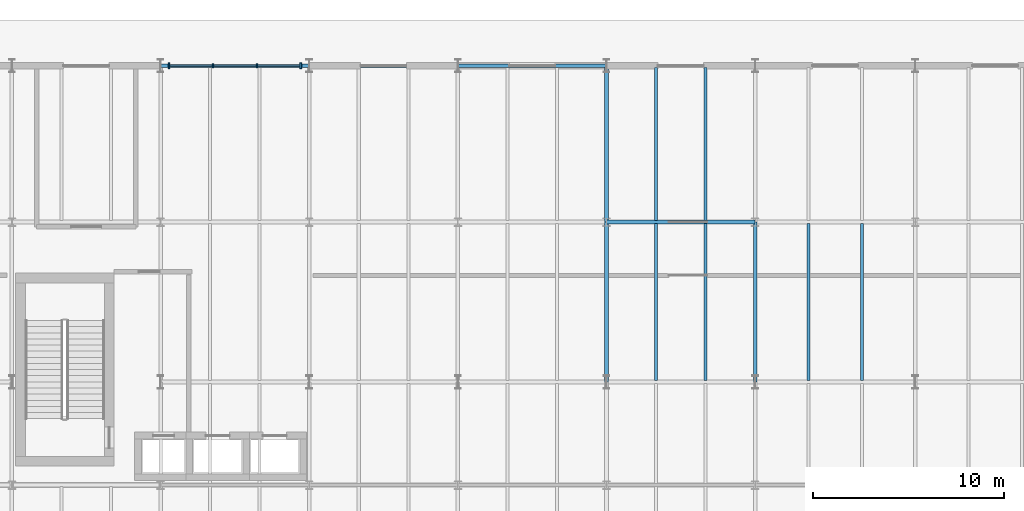
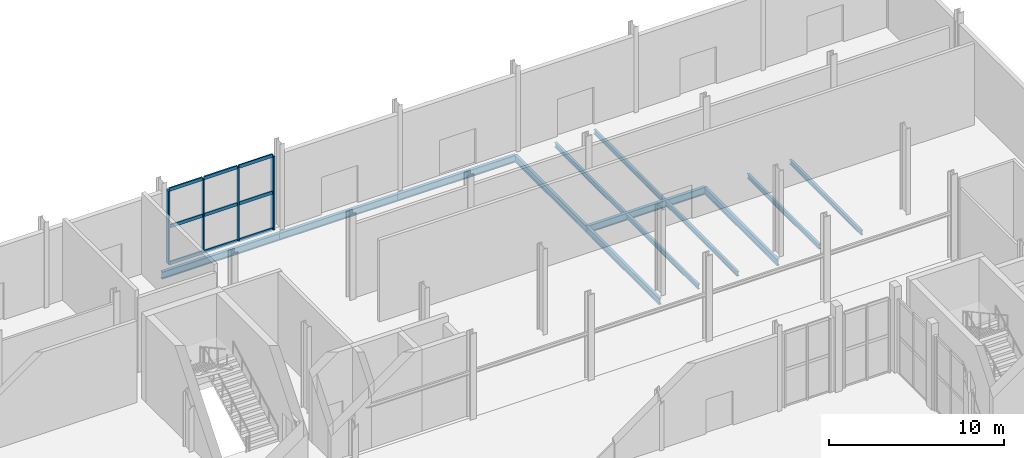
# One storey, part 40 of 84: 13 beams, 13 members, 1 element without a shape of its own.
"""IFC4 building model written with IfcOpenShell, lengths in metres."""

from ifc_helpers import new_model, si_unit, direction, frame, origin, origin_2d, place, context, subcontext, project, spatial, rectangle, i_section, extrude, material, layer, layer_set, material_profile, profile_set, type_object, element, aggregate, save


model = new_model("IFC4")

# Units and contexts
model_context = context("Model", 3, precision=1e-05, world=origin(), true_north=direction((0.0, 1.0)))
body_context = subcontext(model_context, "Body", "Model", "MODEL_VIEW")
ifc_project = project(units=[si_unit("LENGTHUNIT", "METRE"), si_unit("AREAUNIT", "SQUARE_METRE"), si_unit("VOLUMEUNIT", "CUBIC_METRE"), si_unit("PLANEANGLEUNIT", "RADIAN"), si_unit("MASSUNIT", "GRAM", prefix="KILO")], contexts=[model_context])

# Site, building, storey
site_placement = place(None, origin())
site = spatial("IfcSite", under=ifc_project, at=site_placement, CompositionType="ELEMENT")
building_placement = place(site_placement, origin())
building = spatial("IfcBuilding", under=site, at=building_placement, Name="Sefraquen Railside Congress Hotel", CompositionType="ELEMENT")
storey_placement = place(building_placement, origin())
storey = spatial("IfcBuildingStorey", under=building, at=storey_placement, Name="L00", CompositionType="ELEMENT", Elevation=0.0)

# Beams
ifc_material_1 = material(Name="Steel S355JR", Category="steel")
ifc_material_profile_1 = material_profile(ifc_material_1, i_section(OverallWidth=0.18994140625, OverallDepth=0.449951171875, WebThickness=0.009521484375, FlangeThickness=0.0146484375, FilletRadius=0.02099609375, at=origin_2d()), Name="IPE 450")
ifc_profile_set_1 = profile_set([ifc_material_profile_1], Name="Steel S355JR")
beam_type_1 = type_object("IfcBeamType", Name="TB-BM-450", PredefinedType="BEAM", material=ifc_profile_set_1)
beam_1_placement = place(storey_placement, frame((95.39990234375, 101.39990234375, -0.625), z_axis=(0.0, 1.0, 0.0), x_axis=(-1.0, 0.0, 0.0)))
element("IfcBeam", 1, at=beam_1_placement, inside=storey, type_object=beam_type_1, Name="Floor beam BM-L00-0270", PredefinedType="BEAM", context=body_context, shape_type="SweptSolid", body=[
    extrude(i_section(OverallWidth=0.18994140625, OverallDepth=0.449951171875, WebThickness=0.009521484375, FlangeThickness=0.0146484375, FilletRadius=0.02099609375, at=origin_2d()), origin(), (0.0, 0.0, 1.0), 8.400146484375),
])
beam_2_placement = place(storey_placement, frame((95.39990234375, 109.800048828125, -0.625), z_axis=(0.0, 1.0, 0.0), x_axis=(-1.0, 0.0, 0.0)))
element("IfcBeam", 2, at=beam_2_placement, inside=storey, type_object=beam_type_1, Name="Floor beam BM-L00-0271", PredefinedType="BEAM", context=body_context, shape_type="SweptSolid", body=[
    extrude(i_section(OverallWidth=0.18994140625, OverallDepth=0.449951171875, WebThickness=0.009521484375, FlangeThickness=0.0146484375, FilletRadius=0.02099609375, at=origin_2d()), origin(), (0.0, 0.0, 1.0), 8.199951171875),
])
beam_3_placement = place(storey_placement, frame((103.199951171875, 101.39990234375, -0.625), z_axis=(0.0, 1.0, 0.0), x_axis=(-1.0, 0.0, 0.0)))
element("IfcBeam", 3, at=beam_3_placement, inside=storey, type_object=beam_type_1, Name="Floor beam BM-L00-0283", PredefinedType="BEAM", context=body_context, shape_type="SweptSolid", body=[
    extrude(i_section(OverallWidth=0.18994140625, OverallDepth=0.449951171875, WebThickness=0.009521484375, FlangeThickness=0.0146484375, FilletRadius=0.02099609375, at=origin_2d()), origin(), (0.0, 0.0, 1.0), 8.400146484375),
])
ifc_material_profile_2 = material_profile(ifc_material_1, i_section(OverallWidth=0.199951171875, OverallDepth=0.5, WebThickness=0.01025390625, FlangeThickness=0.01611328125, FilletRadius=0.02099609375, at=origin_2d()), Name="IPE 500")
ifc_profile_set_2 = profile_set([ifc_material_profile_2], Name="Steel S355JR")
beam_type_2 = type_object("IfcBeamType", Name="TB-BM-500", PredefinedType="BEAM", material=ifc_profile_set_2)
for number, where, z_axis, x_axis, name in (
    (4, (95.39990234375, 109.800048828125, -0.64990234375), (1.0, 0.0, 0.0), (0.0, 1.0, 0.0), "Primary girder BM-L00-0158"),
    (5, (72.0, 118.0, -0.64990234375), (1.0, 0.0, 0.0), (0.0, 1.0, 0.0), "Primary girder BM-L00-0167"),
    (6, (79.800048828125, 118.0, -0.64990234375), (1.0, 0.0, 0.0), (0.0, 1.0, 0.0), "Primary girder BM-L00-0168"),
):
    element("IfcBeam", number, at=place(storey_placement, frame(where, z_axis=z_axis, x_axis=x_axis)), inside=storey, type_object=beam_type_2, Name=name, PredefinedType="BEAM", context=body_context, shape_type="SweptSolid", body=[
        extrude(i_section(OverallWidth=0.199951171875, OverallDepth=0.5, WebThickness=0.01025390625, FlangeThickness=0.01611328125, FilletRadius=0.02099609375, at=origin_2d()), origin(), (0.0, 0.0, 1.0), 7.800048828125),
    ])
beam_4_placement = place(storey_placement, frame((87.60009765625, 118.0, -0.64990234375), z_axis=(1.0, 0.0, 0.0), x_axis=(0.0, 1.0, 0.0)))
element("IfcBeam", 7, at=beam_4_placement, inside=storey, type_object=beam_type_2, Name="Primary girder BM-L00-0169", PredefinedType="BEAM", context=body_context, shape_type="SweptSolid", body=[
    extrude(i_section(OverallWidth=0.199951171875, OverallDepth=0.5, WebThickness=0.01025390625, FlangeThickness=0.01611328125, FilletRadius=0.02099609375, at=origin_2d()), origin(), (0.0, 0.0, 1.0), 7.7998046875),
])
ifc_material_profile_3 = material_profile(ifc_material_1, i_section(OverallWidth=0.159912109375, OverallDepth=0.330078125, WebThickness=0.007568359375, FlangeThickness=0.011474609375, FilletRadius=0.01806640625, at=origin_2d()), Name="IPE 330")
ifc_profile_set_3 = profile_set([ifc_material_profile_3], Name="Steel S355JR")
beam_type_3 = type_object("IfcBeamType", Name="TB-JST-330", PredefinedType="JOIST", material=ifc_profile_set_3)
for number, where, z_axis, x_axis, name in (
    (8, (98.0, 101.47998046875, -0.56494140625), (0.0, 1.0, 0.0), (-1.0, 0.0, 0.0), "Composite floor joist BM-L00-J0152"),
    (9, (100.60009765625, 101.47998046875, -0.56494140625), (0.0, 1.0, 0.0), (-1.0, 0.0, 0.0), "Composite floor joist BM-L00-J0153"),
):
    element("IfcBeam", number, at=place(storey_placement, frame(where, z_axis=z_axis, x_axis=x_axis)), inside=storey, type_object=beam_type_3, Name=name, PredefinedType="JOIST", context=body_context, shape_type="SweptSolid", body=[
        extrude(i_section(OverallWidth=0.159912109375, OverallDepth=0.330078125, WebThickness=0.007568359375, FlangeThickness=0.011474609375, FilletRadius=0.01806640625, at=origin_2d()), origin(), (0.0, 0.0, 1.0), 8.239990234375),
    ])
for number, where, z_axis, x_axis, name in (
    (10, (98.0, 109.8798828125, -0.56494140625), (0.0, 1.0, 0.0), (-1.0, 0.0, 0.0), "Composite floor joist BM-L00-J0154"),
    (11, (100.60009765625, 109.8798828125, -0.56494140625), (0.0, 1.0, 0.0), (-1.0, 0.0, 0.0), "Composite floor joist BM-L00-J0155"),
):
    element("IfcBeam", number, at=place(storey_placement, frame(where, z_axis=z_axis, x_axis=x_axis)), inside=storey, type_object=beam_type_3, Name=name, PredefinedType="JOIST", context=body_context, shape_type="SweptSolid", body=[
        extrude(i_section(OverallWidth=0.159912109375, OverallDepth=0.330078125, WebThickness=0.007568359375, FlangeThickness=0.011474609375, FilletRadius=0.01806640625, at=origin_2d()), origin(), (0.0, 0.0, 1.0), 8.0400390625),
    ])
for number, where, z_axis, x_axis, name in (
    (12, (106.0, 101.485107421875, -0.56494140625), (0.0, 1.0, 0.0), (-1.0, 0.0, 0.0), "Composite floor joist BM-L00-J0160"),
    (13, (108.800048828125, 101.485107421875, -0.56494140625), (0.0, 1.0, 0.0), (-1.0, 0.0, 0.0), "Composite floor joist BM-L00-J0161"),
):
    element("IfcBeam", number, at=place(storey_placement, frame(where, z_axis=z_axis, x_axis=x_axis)), inside=storey, type_object=beam_type_3, Name=name, PredefinedType="JOIST", context=body_context, shape_type="SweptSolid", body=[
        extrude(i_section(OverallWidth=0.159912109375, OverallDepth=0.330078125, WebThickness=0.007568359375, FlangeThickness=0.011474609375, FilletRadius=0.01806640625, at=origin_2d()), origin(), (0.0, 0.0, 1.0), 8.22998046875),
    ])

# Curtain wall, members
ifc_material_2 = material(Name="Thermally broken anodised aluminium and low-E double glazing", Category="aluminium")
ifc_layer = layer(ifc_material_2, 0.199951171875)
ifc_layer_set = layer_set([ifc_layer], Name="Thermally broken anodised aluminium and low-E double glazing")
curtain_wall_type = type_object("IfcCurtainWallType", Name="TCW-UCW-24", PredefinedType="USERDEFINED", material=ifc_layer_set)
curtain_wall_placement = place(storey_placement, origin())
curtain_wall = element("IfcCurtainWall", 14, at=curtain_wall_placement, inside=storey, type_object=curtain_wall_type, Name="Hotel Boulevard shopfront curtain wall UCW-24", ObjectType="UNITISED CURTAIN WALL", PredefinedType="USERDEFINED")
ifc_material_3 = material(Name="Thermally broken anodised aluminium 6063-T6", Category="aluminium")
ifc_material_profile_4 = material_profile(ifc_material_3, rectangle(XDim=0.070068359375, YDim=0.199951171875, at=origin_2d()), Name="CWM 70x200")
ifc_profile_set_4 = profile_set([ifc_material_profile_4], Name="Thermally broken anodised aluminium 6063-T6")
member_type_1 = type_object("IfcMemberType", Name="TM-CWM-03", PredefinedType="MULLION", material=ifc_profile_set_4)
member_1_placement = place(storey_placement, frame((74.74658203125, 118.0, 0.0), z_axis=(0.0, 0.0, 1.0), x_axis=(1.0, 0.0, 0.0)))
member_1 = element("IfcMember", 15, at=member_1_placement, type_object=member_type_1, Name="CW-L00-024 mullion 2", PredefinedType="MULLION", context=body_context, shape_type="SweptSolid", body=[
    extrude(rectangle(XDim=0.070068359375, YDim=0.199951171875, at=origin_2d()), origin(), (0.0, 0.0, 1.0), 5.14990234375),
])
member_2_placement = place(storey_placement, frame((77.05322265625, 118.0, 0.0), z_axis=(0.0, 0.0, 1.0), x_axis=(1.0, 0.0, 0.0)))
member_2 = element("IfcMember", 16, at=member_2_placement, type_object=member_type_1, Name="CW-L00-024 mullion 3", PredefinedType="MULLION", context=body_context, shape_type="SweptSolid", body=[
    extrude(rectangle(XDim=0.070068359375, YDim=0.199951171875, at=origin_2d()), origin(), (0.0, 0.0, 1.0), 5.14990234375),
])
ifc_material_profile_5 = material_profile(ifc_material_3, rectangle(XDim=0.094970703125, YDim=0.300048828125, at=origin_2d()), Name="CWM 95x300")
ifc_profile_set_5 = profile_set([ifc_material_profile_5], Name="Thermally broken anodised aluminium 6063-T6")
member_type_2 = type_object("IfcMemberType", Name="TM-CWM-08", PredefinedType="MULLION", material=ifc_profile_set_5)
member_3_placement = place(storey_placement, frame((72.43994140625, 118.0, 0.0), z_axis=(0.0, 0.0, 1.0), x_axis=(1.0, 0.0, 0.0)))
member_3 = element("IfcMember", 17, at=member_3_placement, type_object=member_type_2, Name="CW-L00-024 mullion 1", PredefinedType="MULLION", context=body_context, shape_type="SweptSolid", body=[
    extrude(rectangle(XDim=0.094970703125, YDim=0.300048828125, at=origin_2d()), origin(), (0.0, 0.0, 1.0), 5.14990234375),
])
member_4_placement = place(storey_placement, frame((79.360107421875, 118.0, 0.0), z_axis=(0.0, 0.0, 1.0), x_axis=(1.0, 0.0, 0.0)))
member_4 = element("IfcMember", 18, at=member_4_placement, type_object=member_type_2, Name="CW-L00-024 mullion 4", PredefinedType="MULLION", context=body_context, shape_type="SweptSolid", body=[
    extrude(rectangle(XDim=0.094970703125, YDim=0.300048828125, at=origin_2d()), origin(), (0.0, 0.0, 1.0), 5.14990234375),
])
ifc_material_profile_6 = material_profile(ifc_material_3, rectangle(XDim=0.094970703125, YDim=0.22509765625, at=origin_2d()), Name="CWT 95x225")
ifc_profile_set_6 = profile_set([ifc_material_profile_6], Name="Thermally broken anodised aluminium 6063-T6")
member_type_3 = type_object("IfcMemberType", Name="TM-CWT-08", PredefinedType="USERDEFINED", material=ifc_profile_set_6)
member_5_placement = place(storey_placement, frame((72.485107421875, 118.0, 0.0), z_axis=(1.0, 0.0, 0.0), x_axis=(0.0, 1.0, 0.0)))
member_5 = element("IfcMember", 19, at=member_5_placement, type_object=member_type_3, Name="CW-L00-024 transom 1.1", ObjectType="TRANSOM", PredefinedType="USERDEFINED", context=body_context, shape_type="SweptSolid", body=[
    extrude(rectangle(XDim=0.094970703125, YDim=0.22509765625, at=origin_2d()), origin(), (0.0, 0.0, 1.0), 2.216552734375),
])
member_6_placement = place(storey_placement, frame((74.791748046875, 118.0, 0.0), z_axis=(1.0, 0.0, 0.0), x_axis=(0.0, 1.0, 0.0)))
member_6 = element("IfcMember", 20, at=member_6_placement, type_object=member_type_3, Name="CW-L00-024 transom 1.2", ObjectType="TRANSOM", PredefinedType="USERDEFINED", context=body_context, shape_type="SweptSolid", body=[
    extrude(rectangle(XDim=0.094970703125, YDim=0.22509765625, at=origin_2d()), origin(), (0.0, 0.0, 1.0), 2.216552734375),
])
member_7_placement = place(storey_placement, frame((77.098388671875, 118.0, 0.0), z_axis=(1.0, 0.0, 0.0), x_axis=(0.0, 1.0, 0.0)))
member_7 = element("IfcMember", 21, at=member_7_placement, type_object=member_type_3, Name="CW-L00-024 transom 1.3", ObjectType="TRANSOM", PredefinedType="USERDEFINED", context=body_context, shape_type="SweptSolid", body=[
    extrude(rectangle(XDim=0.094970703125, YDim=0.22509765625, at=origin_2d()), origin(), (0.0, 0.0, 1.0), 2.216552734375),
])
member_8_placement = place(storey_placement, frame((72.485107421875, 118.0, 2.574951171875), z_axis=(1.0, 0.0, 0.0), x_axis=(0.0, 1.0, 0.0)))
member_8 = element("IfcMember", 22, at=member_8_placement, type_object=member_type_3, Name="CW-L00-024 transom 2.1", ObjectType="TRANSOM", PredefinedType="USERDEFINED", context=body_context, shape_type="SweptSolid", body=[
    extrude(rectangle(XDim=0.094970703125, YDim=0.22509765625, at=origin_2d()), origin(), (0.0, 0.0, 1.0), 2.216552734375),
])
member_9_placement = place(storey_placement, frame((74.791748046875, 118.0, 2.574951171875), z_axis=(1.0, 0.0, 0.0), x_axis=(0.0, 1.0, 0.0)))
member_9 = element("IfcMember", 23, at=member_9_placement, type_object=member_type_3, Name="CW-L00-024 transom 2.2", ObjectType="TRANSOM", PredefinedType="USERDEFINED", context=body_context, shape_type="SweptSolid", body=[
    extrude(rectangle(XDim=0.094970703125, YDim=0.22509765625, at=origin_2d()), origin(), (0.0, 0.0, 1.0), 2.216552734375),
])
member_10_placement = place(storey_placement, frame((77.098388671875, 118.0, 2.574951171875), z_axis=(1.0, 0.0, 0.0), x_axis=(0.0, 1.0, 0.0)))
member_10 = element("IfcMember", 24, at=member_10_placement, type_object=member_type_3, Name="CW-L00-024 transom 2.3", ObjectType="TRANSOM", PredefinedType="USERDEFINED", context=body_context, shape_type="SweptSolid", body=[
    extrude(rectangle(XDim=0.094970703125, YDim=0.22509765625, at=origin_2d()), origin(), (0.0, 0.0, 1.0), 2.216552734375),
])
member_11_placement = place(storey_placement, frame((72.485107421875, 118.0, 5.14990234375), z_axis=(1.0, 0.0, 0.0), x_axis=(0.0, 1.0, 0.0)))
member_11 = element("IfcMember", 25, at=member_11_placement, type_object=member_type_3, Name="CW-L00-024 transom 3.1", ObjectType="TRANSOM", PredefinedType="USERDEFINED", context=body_context, shape_type="SweptSolid", body=[
    extrude(rectangle(XDim=0.094970703125, YDim=0.22509765625, at=origin_2d()), origin(), (0.0, 0.0, 1.0), 2.216552734375),
])
member_12_placement = place(storey_placement, frame((74.791748046875, 118.0, 5.14990234375), z_axis=(1.0, 0.0, 0.0), x_axis=(0.0, 1.0, 0.0)))
member_12 = element("IfcMember", 26, at=member_12_placement, type_object=member_type_3, Name="CW-L00-024 transom 3.2", ObjectType="TRANSOM", PredefinedType="USERDEFINED", context=body_context, shape_type="SweptSolid", body=[
    extrude(rectangle(XDim=0.094970703125, YDim=0.22509765625, at=origin_2d()), origin(), (0.0, 0.0, 1.0), 2.216552734375),
])
member_13_placement = place(storey_placement, frame((77.098388671875, 118.0, 5.14990234375), z_axis=(1.0, 0.0, 0.0), x_axis=(0.0, 1.0, 0.0)))
member_13 = element("IfcMember", 27, at=member_13_placement, type_object=member_type_3, Name="CW-L00-024 transom 3.3", ObjectType="TRANSOM", PredefinedType="USERDEFINED", context=body_context, shape_type="SweptSolid", body=[
    extrude(rectangle(XDim=0.094970703125, YDim=0.22509765625, at=origin_2d()), origin(), (0.0, 0.0, 1.0), 2.216552734375),
])
aggregate(curtain_wall, [member_3, member_1, member_2, member_4, member_5, member_6, member_7, member_8, member_9, member_10, member_11, member_12, member_13])

save(model, "model.ifc")
